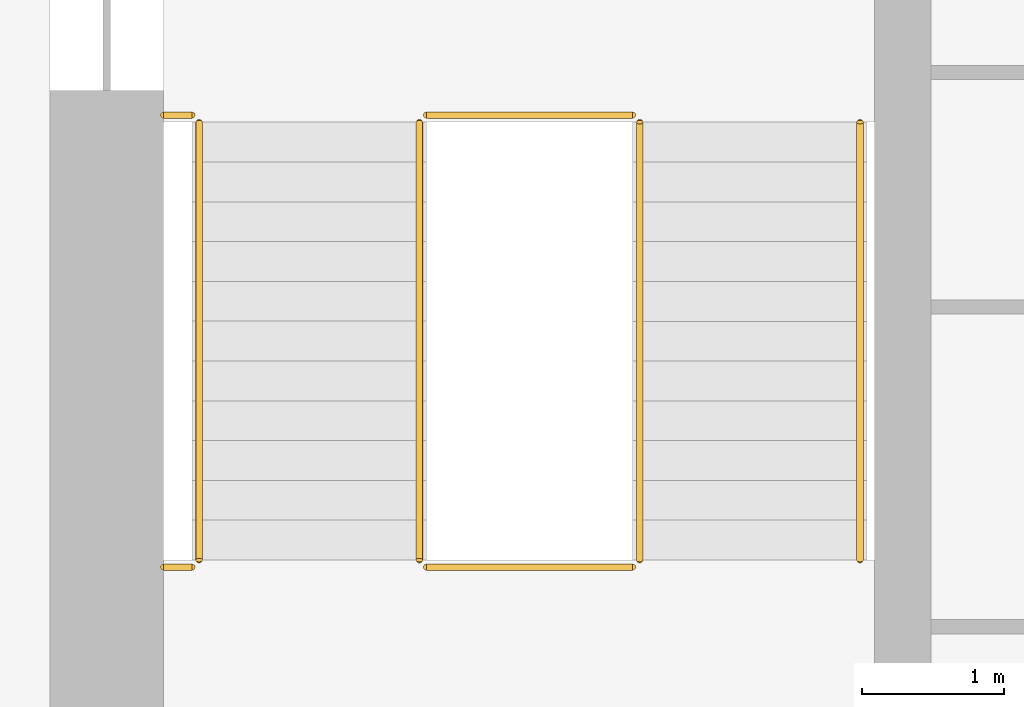
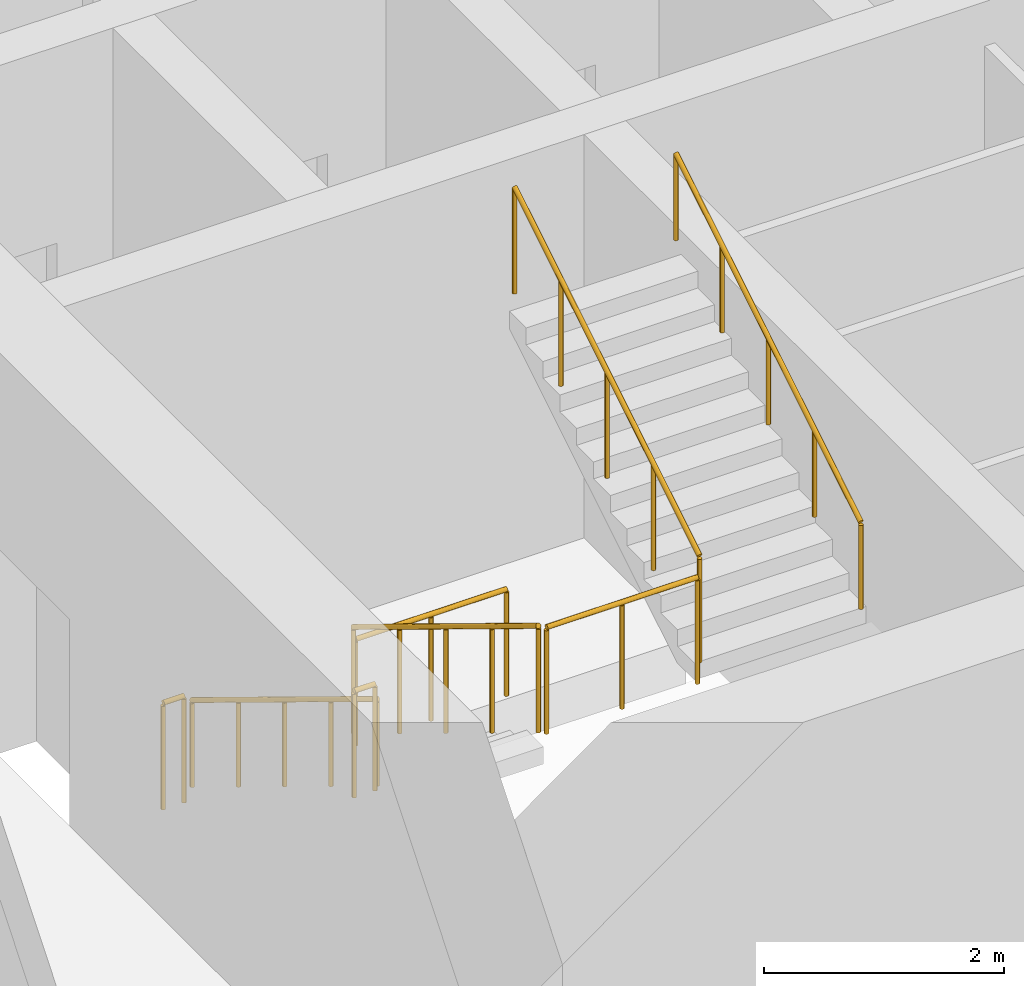
# One storey, part 10 of 16: 8 railings.
"""IFC4 building model written with IfcOpenShell, lengths in metres."""

import ifcopenshell
import ifcopenshell.guid

model = None  # the IFC model being written
_history = None  # IfcOwnerHistory: only IFC2X3 demands one
_inside = {}  # id of a spatial element -> (the spatial element, [elements in it])
_under = {}  # id of a project, library or spatial element -> (it, [spatial elements below it])
_declared = {}  # id of a project -> (the project, [libraries it declares])
_typed = {}  # id of a type object -> (the type object, [elements of that type])
_made_of = {}  # id of a material, layer set ... -> (it, [elements and type objects made of it])


def new_model(schema):
    """Start an empty IFC model of exactly this schema.

    Asked for "IFC4X3", IfcOpenShell would pick the latest addendum, in which some entities
    have other attributes; the version numbers below select the first issue.
    IFC2X3 requires an IfcOwnerHistory on every rooted entity: one is made here for all.
    """
    global model, _history
    if schema == "IFC4X3":
        model = ifcopenshell.file(schema_version=(4, 3, 0, 0))
    else:
        model = ifcopenshell.file(schema=schema)
    _inside.clear()
    _under.clear()
    _declared.clear()
    _typed.clear()
    _made_of.clear()
    _history = None
    if model.schema == "IFC2X3":
        org = make("IfcOrganization", Name="unknown")
        user = make(
            "IfcPersonAndOrganization",
            ThePerson=make("IfcPerson", FamilyName="unknown"),
            TheOrganization=org,
        )
        app = make(
            "IfcApplication",
            ApplicationDeveloper=org,
            Version="unknown",
            ApplicationFullName="unknown",
            ApplicationIdentifier="unknown",
        )
        _history = make(
            "IfcOwnerHistory",
            OwningUser=user,
            OwningApplication=app,
            ChangeAction="ADDED",
            CreationDate=0,
        )
    return model


def make(cls, **values):
    """One entity of the class cls with the attributes given. An attribute that is None is left unset."""
    return model.create_entity(
        cls, **{name: value for name, value in values.items() if value is not None}
    )


def rooted(cls, **values):
    """An entity with a GlobalId (a new one), such as an element, a storey or a relation."""
    return make(cls, GlobalId=ifcopenshell.guid.new(), OwnerHistory=_history, **values)


def si_unit(unit_type, name, prefix=None):
    """IfcSIUnit, for example si_unit("LENGTHUNIT", "METRE", prefix="MILLI")."""
    return make("IfcSIUnit", UnitType=unit_type, Prefix=prefix, Name=name)


def assignment(units):
    """IfcUnitAssignment: the units of a project."""
    return None if units is None else make("IfcUnitAssignment", Units=units)


def point(xyz):
    """IfcCartesianPoint."""
    return None if xyz is None else make("IfcCartesianPoint", Coordinates=xyz)


def direction(xyz):
    """IfcDirection."""
    return None if xyz is None else make("IfcDirection", DirectionRatios=xyz)


def frame(location, z_axis=None, x_axis=None):
    """IfcAxis2Placement3D, a coordinate frame: its origin and axes. An axis left out is left unset."""
    return make(
        "IfcAxis2Placement3D",
        Location=point(location),
        Axis=direction(z_axis),
        RefDirection=direction(x_axis),
    )


def frame_2d(location, x_axis=None):
    """IfcAxis2Placement2D, a coordinate frame in the plane: its origin and x axis."""
    return make(
        "IfcAxis2Placement2D", Location=point(location), RefDirection=direction(x_axis)
    )


def origin():
    """The frame at (0, 0, 0) with its axes left unset."""
    return frame((0.0, 0.0, 0.0))


def origin_2d():
    """The frame at (0, 0) in the plane with its x axis left unset."""
    return frame_2d((0.0, 0.0))


def place(relative_to, where):
    """IfcLocalPlacement: puts the frame where relative to a parent placement (None: the world)."""
    return make(
        "IfcLocalPlacement", PlacementRelTo=relative_to, RelativePlacement=where
    )


def context(
    kind, dimensions, precision=None, world=None, true_north=None, identifier=None
):
    """IfcGeometricRepresentationContext, for example the 3D "Model" context."""
    return make(
        "IfcGeometricRepresentationContext",
        ContextIdentifier=identifier,
        ContextType=kind,
        CoordinateSpaceDimension=dimensions,
        Precision=precision,
        WorldCoordinateSystem=world,
        TrueNorth=true_north,
    )


def subcontext(parent, identifier, kind, view, scale=None):
    """IfcGeometricRepresentationSubContext, for example "Body" below "Model"."""
    return make(
        "IfcGeometricRepresentationSubContext",
        ContextIdentifier=identifier,
        ContextType=kind,
        ParentContext=parent,
        TargetScale=scale,
        TargetView=view,
    )


def project(units=None, contexts=None):
    """IfcProject with its units and contexts."""
    return rooted(
        "IfcProject",
        Name="project",
        RepresentationContexts=contexts,
        UnitsInContext=assignment(units),
    )


def spatial(cls, under=None, at=None, **own):
    """A site, building, storey or space (cls), placed at a placement, below another one or the project."""
    s = rooted(cls, ObjectPlacement=at, **own)
    if under is not None:
        _under.setdefault(under.id(), (under, []))[1].append(s)
    return s


def profile(cls, at=None, kind="AREA", **sizes):
    """A parametric profile (cls). Its sizes go by their IFC names, for example OverallWidth=200.0."""
    return make(cls, ProfileType=kind, Position=at, **sizes)


def circle(**sizes):
    """IfcCircleProfileDef."""
    return profile("IfcCircleProfileDef", **sizes)


def extrude(swept, where, along, depth):
    """IfcExtrudedAreaSolid: the profile swept, set in the frame where, extruded along a direction by depth."""
    return make(
        "IfcExtrudedAreaSolid",
        SweptArea=swept,
        Position=where,
        ExtrudedDirection=direction(along),
        Depth=depth,
    )


def shape(context_of_items, identifier, shape_type, items):
    """IfcShapeRepresentation: the items that make up one representation, for example the "Body"."""
    return make(
        "IfcShapeRepresentation",
        ContextOfItems=context_of_items,
        RepresentationIdentifier=identifier,
        RepresentationType=shape_type,
        Items=items,
    )


def material(Name=None, Category=None):
    """IfcMaterial."""
    return make("IfcMaterial", Name=Name, Category=Category)


def made_of(thing, what):
    """Note that an element or type object is made of a material, layer set ...; save() writes the relation."""
    if what is not None:
        _made_of.setdefault(what.id(), (what, []))[1].append(thing)
    return thing


def type_object(cls, material=None, **own):
    """A type object (cls), such as IfcWallType, which elements share."""
    return made_of(rooted(cls, **own), material)


def element(
    cls,
    number,
    at=None,
    inside=None,
    cuts=None,
    type_object=None,
    material=None,
    context=None,
    identifier="Body",
    shape_type=None,
    held_by="IfcProductDefinitionShape",
    body=None,
    shapes=None,
    **own,
):
    """One element of the class cls, such as IfcWall. Its Tag is "e" and its number.

    at: its placement. inside: the storey or other place that contains it. cuts: it is an
    opening in that element (IfcRelVoidsElement). A single representation is given by context,
    identifier, shape_type and body (its items); several are given by shapes. held_by: the class
    of the entity that holds the representations. save() writes the other relations.
    """
    e = rooted(cls, Tag="e%d" % number, ObjectPlacement=at, **own)
    if body is not None:
        shapes = [shape(context, identifier, shape_type, body)]
    if shapes is not None:
        e.Representation = make(held_by, Representations=shapes)
    if inside is not None:
        _inside.setdefault(inside.id(), (inside, []))[1].append(e)
    if cuts is not None:
        rooted(
            "IfcRelVoidsElement", RelatingBuildingElement=cuts, RelatedOpeningElement=e
        )
    if type_object is not None:
        _typed.setdefault(type_object.id(), (type_object, []))[1].append(e)
    return made_of(e, material)


def aggregate(whole, parts):
    """IfcRelAggregates: a whole, such as a stair, and the parts it consists of."""
    return rooted("IfcRelAggregates", RelatingObject=whole, RelatedObjects=parts)


def save(model, path):
    """Write the relations noted so far, then the file.

    IfcRelAggregates (storeys below a building ...), IfcRelContainedInSpatialStructure (elements
    in a storey), IfcRelDefinesByType, IfcRelAssociatesMaterial and IfcRelDeclares: one each for
    every whole, place, type object, material and project.
    """
    for whole, parts in _under.values():
        aggregate(whole, parts)
    for where, things in _inside.values():
        rooted(
            "IfcRelContainedInSpatialStructure",
            RelatedElements=things,
            RelatingStructure=where,
        )
    for kind, things in _typed.values():
        rooted("IfcRelDefinesByType", RelatedObjects=things, RelatingType=kind)
    for what, things in _made_of.values():
        rooted("IfcRelAssociatesMaterial", RelatedObjects=things, RelatingMaterial=what)
    for by, libraries in _declared.values():
        rooted("IfcRelDeclares", RelatingContext=by, RelatedDefinitions=libraries)
    model.write(path)


model = new_model("IFC4")

# Units and contexts
model_context = context("Model", 3, precision=1e-05, world=origin(), true_north=direction((0.0, 1.0)))
body_context = subcontext(model_context, "Body", "Model", "MODEL_VIEW")
ifc_project = project(units=[si_unit("LENGTHUNIT", "METRE"), si_unit("AREAUNIT", "SQUARE_METRE"), si_unit("VOLUMEUNIT", "CUBIC_METRE"), si_unit("PLANEANGLEUNIT", "RADIAN"), si_unit("MASSUNIT", "GRAM", prefix="KILO")], contexts=[model_context])

# Site, building, storey
site_placement = place(None, origin())
site = spatial("IfcSite", under=ifc_project, at=site_placement, CompositionType="ELEMENT")
building_placement = place(site_placement, origin())
building = spatial("IfcBuilding", under=site, at=building_placement, Name="Corbel Stack Research Tower", CompositionType="ELEMENT")
storey_placement = place(building_placement, frame((0.0, 0.0, 203.800048828125)))
storey = spatial("IfcBuildingStorey", under=building, at=storey_placement, Name="L46", CompositionType="ELEMENT", Elevation=203.800048828125)

# Railings
ifc_material_1 = material(Name="Steel S355", Category="steel")
railing_type_1 = type_object("IfcRailingType", Name="Stair guard 1100", PredefinedType="GUARDRAIL", material=ifc_material_1)
railing_1_placement = place(storey_placement, frame((-7.89990234375, -2.39990234375, 0.1708984375)))
element("IfcRailing", 1, at=railing_1_placement, inside=storey, type_object=railing_type_1, Name="L46 ST-W1 stair guard 1", PredefinedType="GUARDRAIL", context=body_context, shape_type="SweptSolid", body=[
    extrude(circle(Radius=0.02392578125, at=origin_2d()), frame((0.0, 0.0, 1.076171875), z_axis=(0.0, -0.853666305674, 0.52082035152), x_axis=(1.0, 0.0, 0.0)), (0.0, 0.0, 1.0), 3.608154296875),
    extrude(circle(Radius=0.02099609375, at=origin_2d()), origin(), (0.0, 0.0, 1.0), 1.052001953125),
    extrude(circle(Radius=0.02099609375, at=origin_2d()), frame((0.0, -0.77001953125, 0.4697265625)), (0.0, 0.0, 1.0), 1.052001953125),
    extrude(circle(Radius=0.02099609375, at=origin_2d()), frame((0.0, -1.5400390625, 0.939453125)), (0.0, 0.0, 1.0), 1.052001953125),
    extrude(circle(Radius=0.02099609375, at=origin_2d()), frame((0.0, -2.31005859375, 1.409423828125)), (0.0, 0.0, 1.0), 1.052001953125),
    extrude(circle(Radius=0.02099609375, at=origin_2d()), frame((0.0, -3.080078125, 1.879150390625)), (0.0, 0.0, 1.0), 1.052001953125),
])
railing_2_placement = place(storey_placement, frame((-7.85009765625, -5.530029296875, 2.050048828125)))
element("IfcRailing", 2, at=railing_2_placement, inside=storey, type_object=railing_type_1, Name="L46 ST-W1 stair guard 2", PredefinedType="GUARDRAIL", context=body_context, shape_type="SweptSolid", body=[
    extrude(circle(Radius=0.02392578125, at=origin_2d()), frame((0.0, 0.0, 1.076171875), z_axis=(1.0, 0.0, 0.0), x_axis=(0.0, 1.0, 0.0)), (0.0, 0.0, 1.0), 1.4501953125),
    extrude(circle(Radius=0.02099609375, at=origin_2d()), origin(), (0.0, 0.0, 1.0), 1.052001953125),
    extrude(circle(Radius=0.02099609375, at=origin_2d()), frame((0.72509765625, 0.0, 0.0)), (0.0, 0.0, 1.0), 1.052001953125),
    extrude(circle(Radius=0.02099609375, at=origin_2d()), frame((1.4501953125, 0.0, 0.0)), (0.0, 0.0, 1.0), 1.052001953125),
])
railing_3_placement = place(storey_placement, frame((-9.699951171875, -5.530029296875, 2.050048828125)))
element("IfcRailing", 3, at=railing_3_placement, inside=storey, type_object=railing_type_1, Name="L46 ST-W1 stair guard 3", PredefinedType="GUARDRAIL", context=body_context, shape_type="SweptSolid", body=[
    extrude(circle(Radius=0.02392578125, at=origin_2d()), frame((0.0, 0.0, 1.076171875), z_axis=(1.0, 0.0, 0.0), x_axis=(0.0, 1.0, 0.0)), (0.0, 0.0, 1.0), 0.199951171875),
    extrude(circle(Radius=0.02099609375, at=origin_2d()), origin(), (0.0, 0.0, 1.0), 1.052001953125),
    extrude(circle(Radius=0.02099609375, at=origin_2d()), frame((0.199951171875, 0.0, 0.0)), (0.0, 0.0, 1.0), 1.052001953125),
])
railing_4_placement = place(storey_placement, frame((-6.35009765625, -5.47998046875, 2.220703125)))
element("IfcRailing", 4, at=railing_4_placement, inside=storey, type_object=railing_type_1, Name="L46 ST-W1 stair guard 4", PredefinedType="GUARDRAIL", context=body_context, shape_type="SweptSolid", body=[
    extrude(circle(Radius=0.02392578125, at=origin_2d()), frame((0.0, 0.0, 1.076171875), z_axis=(0.0, 0.853666305674, 0.52082035152), x_axis=(-1.0, 0.0, 0.0)), (0.0, 0.0, 1.0), 3.608154296875),
    extrude(circle(Radius=0.02099609375, at=origin_2d()), origin(), (0.0, 0.0, 1.0), 1.052001953125),
    extrude(circle(Radius=0.02099609375, at=origin_2d()), frame((0.0, 0.77001953125, 0.4697265625)), (0.0, 0.0, 1.0), 1.052001953125),
    extrude(circle(Radius=0.02099609375, at=origin_2d()), frame((0.0, 1.5400390625, 0.939453125)), (0.0, 0.0, 1.0), 1.052001953125),
    extrude(circle(Radius=0.02099609375, at=origin_2d()), frame((0.0, 2.31005859375, 1.409423828125)), (0.0, 0.0, 1.0), 1.052001953125),
    extrude(circle(Radius=0.02099609375, at=origin_2d()), frame((0.0, 3.080078125, 1.879150390625)), (0.0, 0.0, 1.0), 1.052001953125),
])
railing_5_placement = place(storey_placement, frame((-7.85009765625, -2.35009765625, 0.0)))
element("IfcRailing", 5, at=railing_5_placement, inside=storey, type_object=railing_type_1, Name="L46 ST-W1 stair guard 5", PredefinedType="GUARDRAIL", context=body_context, shape_type="SweptSolid", body=[
    extrude(circle(Radius=0.02392578125, at=origin_2d()), frame((0.0, 0.0, 1.076171875), z_axis=(1.0, 0.0, 0.0), x_axis=(0.0, 1.0, 0.0)), (0.0, 0.0, 1.0), 1.4501953125),
    extrude(circle(Radius=0.02099609375, at=origin_2d()), origin(), (0.0, 0.0, 1.0), 1.052001953125),
    extrude(circle(Radius=0.02099609375, at=origin_2d()), frame((0.72509765625, 0.0, 0.0)), (0.0, 0.0, 1.0), 1.052001953125),
    extrude(circle(Radius=0.02099609375, at=origin_2d()), frame((1.4501953125, 0.0, 0.0)), (0.0, 0.0, 1.0), 1.052001953125),
])
railing_6_placement = place(storey_placement, frame((-9.699951171875, -2.35009765625, 0.0)))
element("IfcRailing", 6, at=railing_6_placement, inside=storey, type_object=railing_type_1, Name="L46 ST-W1 stair guard 6", PredefinedType="GUARDRAIL", context=body_context, shape_type="SweptSolid", body=[
    extrude(circle(Radius=0.02392578125, at=origin_2d()), frame((0.0, 0.0, 1.076171875), z_axis=(1.0, 0.0, 0.0), x_axis=(0.0, 1.0, 0.0)), (0.0, 0.0, 1.0), 0.199951171875),
    extrude(circle(Radius=0.02099609375, at=origin_2d()), origin(), (0.0, 0.0, 1.0), 1.052001953125),
    extrude(circle(Radius=0.02099609375, at=origin_2d()), frame((0.199951171875, 0.0, 0.0)), (0.0, 0.0, 1.0), 1.052001953125),
])
ifc_material_2 = material(Name="Steel S355", Category="steel")
railing_type_2 = type_object("IfcRailingType", Name="Stair handrail 900", PredefinedType="HANDRAIL", material=ifc_material_2)
railing_7_placement = place(storey_placement, frame((-9.449951171875, -2.39990234375, 0.1708984375)))
element("IfcRailing", 7, at=railing_7_placement, inside=storey, type_object=railing_type_2, Name="L46 ST-W1 stair handrail 1", PredefinedType="HANDRAIL", context=body_context, shape_type="SweptSolid", body=[
    extrude(circle(Radius=0.02392578125, at=origin_2d()), frame((0.0, 0.0, 0.8759765625), z_axis=(0.0, -0.853666305674, 0.52082035152), x_axis=(1.0, 0.0, 0.0)), (0.0, 0.0, 1.0), 3.608154296875),
    extrude(circle(Radius=0.02099609375, at=origin_2d()), origin(), (0.0, 0.0, 1.0), 0.851806640625),
    extrude(circle(Radius=0.02099609375, at=origin_2d()), frame((0.0, -0.77001953125, 0.4697265625)), (0.0, 0.0, 1.0), 0.851806640625),
    extrude(circle(Radius=0.02099609375, at=origin_2d()), frame((0.0, -1.5400390625, 0.939453125)), (0.0, 0.0, 1.0), 0.851806640625),
    extrude(circle(Radius=0.02099609375, at=origin_2d()), frame((0.0, -2.31005859375, 1.409423828125)), (0.0, 0.0, 1.0), 0.851806640625),
    extrude(circle(Radius=0.02099609375, at=origin_2d()), frame((0.0, -3.080078125, 1.879150390625)), (0.0, 0.0, 1.0), 0.851806640625),
])
railing_8_placement = place(storey_placement, frame((-4.800048828125, -5.47998046875, 2.220703125)))
element("IfcRailing", 8, at=railing_8_placement, inside=storey, type_object=railing_type_2, Name="L46 ST-W1 stair handrail 2", PredefinedType="HANDRAIL", context=body_context, shape_type="SweptSolid", body=[
    extrude(circle(Radius=0.02392578125, at=origin_2d()), frame((0.0, 0.0, 0.8759765625), z_axis=(0.0, 0.853666305674, 0.52082035152), x_axis=(-1.0, 0.0, 0.0)), (0.0, 0.0, 1.0), 3.608154296875),
    extrude(circle(Radius=0.02099609375, at=origin_2d()), origin(), (0.0, 0.0, 1.0), 0.851806640625),
    extrude(circle(Radius=0.02099609375, at=origin_2d()), frame((0.0, 0.77001953125, 0.4697265625)), (0.0, 0.0, 1.0), 0.851806640625),
    extrude(circle(Radius=0.02099609375, at=origin_2d()), frame((0.0, 1.5400390625, 0.939453125)), (0.0, 0.0, 1.0), 0.851806640625),
    extrude(circle(Radius=0.02099609375, at=origin_2d()), frame((0.0, 2.31005859375, 1.409423828125)), (0.0, 0.0, 1.0), 0.851806640625),
    extrude(circle(Radius=0.02099609375, at=origin_2d()), frame((0.0, 3.080078125, 1.879150390625)), (0.0, 0.0, 1.0), 0.851806640625),
])

save(model, "model.ifc")
